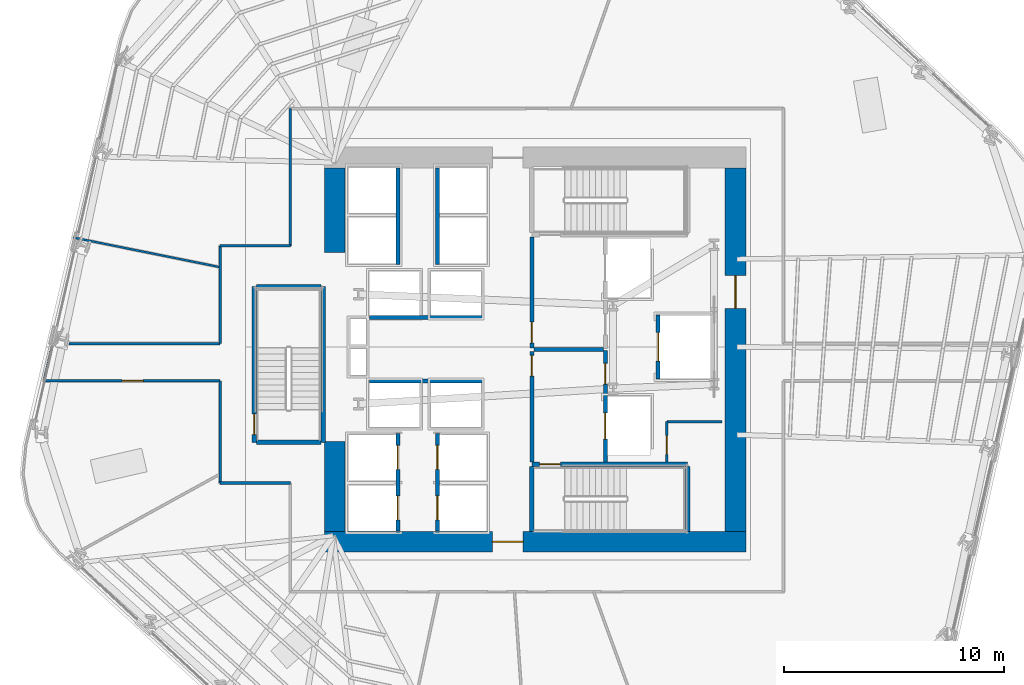
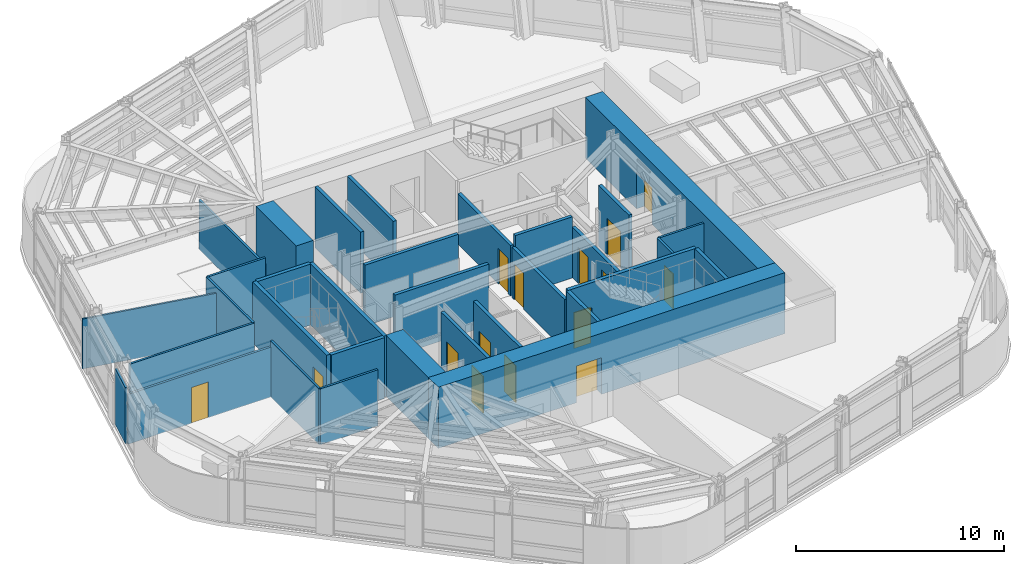
# One storey, part 9 of 16: 33 walls, 15 doors, 15 openings.
"""IFC4 building model written with IfcOpenShell, lengths in metres."""

from ifc_helpers import new_model, si_unit, direction, frame, frame_2d, origin, place, context, subcontext, project, spatial, rectangle, extrude, material, layer, layer_set, type_object, element, fill, save


model = new_model("IFC4")

# Units and contexts
model_context = context("Model", 3, precision=1e-05, world=origin(), true_north=direction((0.0, 1.0)))
body_context = subcontext(model_context, "Body", "Model", "MODEL_VIEW")
ifc_project = project(units=[si_unit("LENGTHUNIT", "METRE"), si_unit("AREAUNIT", "SQUARE_METRE"), si_unit("VOLUMEUNIT", "CUBIC_METRE"), si_unit("PLANEANGLEUNIT", "RADIAN"), si_unit("MASSUNIT", "GRAM", prefix="KILO")], contexts=[model_context])

# Site, building, storey
site_placement = place(None, origin())
site = spatial("IfcSite", under=ifc_project, at=site_placement, CompositionType="ELEMENT")
building_placement = place(site_placement, origin())
building = spatial("IfcBuilding", under=site, at=building_placement, Name="Valkerne Bourse Tower", CompositionType="ELEMENT")
storey_placement = place(building_placement, frame((0.0, 0.0, 97.199951171875)))
storey = spatial("IfcBuildingStorey", under=building, at=storey_placement, Name="L24", CompositionType="ELEMENT", Elevation=97.199951171875)

# Wall, opening, door
ifc_material_1 = material(Name="Concrete C70/85", Category="concrete")
ifc_layer_1 = layer(ifc_material_1, 0.949951171875)
ifc_layer_set_1 = layer_set([ifc_layer_1], Name="Concrete C70/85")
wall_type_1 = type_object("IfcWallType", Name="W-CORE-950", PredefinedType="SHEAR", material=ifc_layer_set_1)
wall_1_placement = place(storey_placement, frame((37.199951171875, 18.125, 0.0), z_axis=(0.0, 0.0, 1.0), x_axis=(1.0, 0.0, 0.0)))
wall_1 = element("IfcWall", 1, at=wall_1_placement, inside=storey, type_object=wall_type_1, Name="L24 Core Shear Wall SOUTH", PredefinedType="SHEAR", context=body_context, shape_type="SweptSolid", body=[
    extrude(rectangle(XDim=19.199951171875, YDim=0.949951171875, at=frame_2d((9.60009765625, 0.0))), origin(), (0.0, 0.0, 1.0), 3.580078125),
])
opening_1_placement = place(wall_1_placement, frame((7.64990234375, 0.0, 0.0)))
opening_1 = element("IfcOpeningElement", 2, at=opening_1_placement, cuts=wall_1, Name="Opening D-PL-1400", PredefinedType="OPENING", context=body_context, shape_type="SweptSolid", body=[
    extrude(rectangle(XDim=1.39990234375, YDim=2.14990234375, at=frame_2d((0.699951171875, 1.074951171875))), frame((0.0, 0.48486328125, 0.0), z_axis=(0.0, -1.0, 0.0), x_axis=(1.0, 0.0, 0.0)), (0.0, 0.0, 1.0), 0.969970703125),
])
ifc_material_2 = material(Name="Galvanised Painted Steel", Category="steel")
door_type_1 = type_object("IfcDoorType", Name="DR-PLT-1400", OperationType="DOUBLE_DOOR_SINGLE_SWING", PredefinedType="DOOR", material=ifc_material_2)
door_1_placement = place(opening_1_placement, origin())
door_1 = element("IfcDoor", 3, at=door_1_placement, inside=storey, type_object=door_type_1, Name="L24 South Passenger Lift Hall Fire Door", OperationType="DOUBLE_DOOR_SINGLE_SWING", OverallHeight=2.14990234375, OverallWidth=1.39990234375, PredefinedType="DOOR", context=body_context, shape_type="SweptSolid", body=[
    extrude(rectangle(XDim=1.39990234375, YDim=2.14990234375, at=frame_2d((0.699951171875, 1.074951171875))), frame((0.0, 0.02490234375, 0.0), z_axis=(0.0, -1.0, 0.0), x_axis=(1.0, 0.0, 0.0)), (0.0, 0.0, 1.0), 0.050048828125),
])
fill(opening_1, door_1)

wall_2_placement = place(storey_placement, frame((55.925048828125, 18.60009765625, 0.0), z_axis=(0.0, 0.0, 1.0), x_axis=(0.0, 1.0, 0.0)))
wall_2 = element("IfcWall", 4, at=wall_2_placement, inside=storey, type_object=wall_type_1, Name="L24 Core Shear Wall EAST", PredefinedType="SHEAR", context=body_context, shape_type="SweptSolid", body=[
    extrude(rectangle(XDim=16.5498046875, YDim=0.949951171875, at=frame_2d((8.27490234375, 0.0))), origin(), (0.0, 0.0, 1.0), 3.580078125),
])
opening_2_placement = place(wall_2_placement, frame((10.14990234375, 0.0, 0.0)))
opening_2 = element("IfcOpeningElement", 5, at=opening_2_placement, cuts=wall_2, Name="Opening D-CR-1500", PredefinedType="OPENING", context=body_context, shape_type="SweptSolid", body=[
    extrude(rectangle(XDim=1.5, YDim=2.14990234375, at=frame_2d((0.75, 1.074951171875))), frame((0.0, 0.48486328125, 0.0), z_axis=(0.0, -1.0, 0.0), x_axis=(1.0, 0.0, 0.0)), (0.0, 0.0, 1.0), 0.969970703125),
])
door_type_2 = type_object("IfcDoorType", Name="DR-CORR-1500", OperationType="DOUBLE_DOOR_SINGLE_SWING", PredefinedType="DOOR", material=ifc_material_2)
door_2_placement = place(opening_2_placement, origin())
door_2 = element("IfcDoor", 6, at=door_2_placement, inside=storey, type_object=door_type_2, Name="L24 East Core Service Lobby Fire Door", OperationType="DOUBLE_DOOR_SINGLE_SWING", OverallHeight=2.14990234375, OverallWidth=1.5, PredefinedType="DOOR", context=body_context, shape_type="SweptSolid", body=[
    extrude(rectangle(XDim=1.5, YDim=2.14990234375, at=frame_2d((0.75, 1.074951171875))), frame((0.0, 0.02490234375, 0.0), z_axis=(0.0, -1.0, 0.0), x_axis=(1.0, 0.0, 0.0)), (0.0, 0.0, 1.0), 0.050048828125),
])
fill(opening_2, door_2)

# Walls
wall_3_placement = place(storey_placement, frame((37.675048828125, 18.60009765625, 0.0), z_axis=(0.0, 0.0, 1.0), x_axis=(0.0, 1.0, 0.0)))
element("IfcWall", 7, at=wall_3_placement, inside=storey, type_object=wall_type_1, Name="L24 Core Shear Wall WEST-S", PredefinedType="SHEAR", context=body_context, shape_type="SweptSolid", body=[
    extrude(rectangle(XDim=4.099853515625, YDim=0.949951171875, at=frame_2d((2.0498046875, 0.0))), origin(), (0.0, 0.0, 1.0), 3.580078125),
])
wall_4_placement = place(storey_placement, frame((37.675048828125, 31.300048828125, 0.0), z_axis=(0.0, 0.0, 1.0), x_axis=(0.0, 1.0, 0.0)))
element("IfcWall", 8, at=wall_4_placement, inside=storey, type_object=wall_type_1, Name="L24 Core Shear Wall WEST-N", PredefinedType="SHEAR", context=body_context, shape_type="SweptSolid", body=[
    extrude(rectangle(XDim=3.849853515625, YDim=0.949951171875, at=frame_2d((1.9248046875, 0.0))), origin(), (0.0, 0.0, 1.0), 3.580078125),
])

# Wall, opening, door
ifc_material_3 = material(Name="Gypsum Board Steel-Stud Partition", Category="steel")
ifc_layer_2 = layer(ifc_material_3, 0.117919921875)
ifc_layer_set_2 = layer_set([ifc_layer_2], Name="Gypsum Board Steel-Stud Partition")
wall_type_2 = type_object("IfcWallType", Name="W-CORR-140", PredefinedType="PARTITIONING", material=ifc_layer_set_2)
wall_5_placement = place(storey_placement, frame((52.800048828125, 21.75, 0.0), z_axis=(0.0, 0.0, 1.0), x_axis=(0.0, 1.0, 0.0)))
wall_5 = element("IfcWall", 9, at=wall_5_placement, inside=storey, type_object=wall_type_2, Name="L24 Core SE South-Bay West Wall", PredefinedType="PARTITIONING", context=body_context, shape_type="SweptSolid", body=[
    extrude(rectangle(XDim=1.85009765625, YDim=0.117919921875, at=frame_2d((0.925048828125, 0.0))), origin(), (0.0, 0.0, 1.0), 3.280029296875),
])
opening_3_placement = place(wall_5_placement, frame((0.35009765625, 0.0, 0.0)))
opening_3 = element("IfcOpeningElement", 10, at=opening_3_placement, cuts=wall_5, Name="Opening D-WC-900", PredefinedType="OPENING", context=body_context, shape_type="SweptSolid", body=[
    extrude(rectangle(XDim=0.860107421875, YDim=2.050048828125, at=frame_2d((0.43017578125, 1.02490234375))), frame((0.0, 0.06884765625, 0.0), z_axis=(0.0, -1.0, 0.0), x_axis=(1.0, 0.0, 0.0)), (0.0, 0.0, 1.0), 0.137939453125),
])
ifc_material_4 = material(Name="Architectural White Oak Timber", Category="wood")
door_type_3 = type_object("IfcDoorType", Name="DR-WC-900", OperationType="NOTDEFINED", PredefinedType="DOOR", material=ifc_material_4)
door_3_placement = place(opening_3_placement, origin())
door_3 = element("IfcDoor", 11, at=door_3_placement, inside=storey, type_object=door_type_3, Name="L24 Janitor Store Door", OperationType="SINGLE_SWING_LEFT", OverallHeight=2.050048828125, OverallWidth=0.860107421875, PredefinedType="DOOR", context=body_context, shape_type="SweptSolid", body=[
    extrude(rectangle(XDim=0.860107421875, YDim=2.050048828125, at=frame_2d((0.43017578125, 1.02490234375))), frame((0.0, 0.02490234375, 0.0), z_axis=(0.0, -1.0, 0.0), x_axis=(1.0, 0.0, 0.0)), (0.0, 0.0, 1.0), 0.050048828125),
])
fill(opening_3, door_3)

# Walls
wall_6_placement = place(storey_placement, frame((52.800048828125, 23.60009765625, 0.0), z_axis=(0.0, 0.0, 1.0), x_axis=(1.0, 0.0, 0.0)))
element("IfcWall", 12, at=wall_6_placement, inside=storey, type_object=wall_type_2, Name="L24 Core SE South-Bay North Wall", PredefinedType="PARTITIONING", context=body_context, shape_type="SweptSolid", body=[
    extrude(rectangle(XDim=2.52001953125, YDim=0.117919921875, at=frame_2d((1.260009765625, 0.0))), origin(), (0.0, 0.0, 1.0), 3.280029296875),
])
wall_7_placement = place(storey_placement, frame((35.64990234375, 20.800048828125, 0.0), z_axis=(0.0, 0.0, 1.0), x_axis=(-1.0, 0.0, 0.0)))
element("IfcWall", 13, at=wall_7_placement, inside=storey, type_object=wall_type_2, Name="L24 Corridor Enclosure Wall", PredefinedType="PARTITIONING", context=body_context, shape_type="SweptSolid", body=[
    extrude(rectangle(XDim=3.199951171875, YDim=0.117919921875, at=frame_2d((1.60009765625, 0.0))), origin(), (0.0, 0.0, 1.0), 3.280029296875),
])
wall_8_placement = place(storey_placement, frame((32.449951171875, 20.800048828125, 0.0), z_axis=(0.0, 0.0, 1.0), x_axis=(0.0, 1.0, 0.0)))
element("IfcWall", 14, at=wall_8_placement, inside=storey, type_object=wall_type_2, Name="L24 Corridor Enclosure Wall", PredefinedType="PARTITIONING", context=body_context, shape_type="SweptSolid", body=[
    extrude(rectangle(XDim=4.64990234375, YDim=0.117919921875, at=frame_2d((2.324951171875, 0.0))), origin(), (0.0, 0.0, 1.0), 3.280029296875),
])

# Wall, opening, door
wall_9_placement = place(storey_placement, frame((32.449951171875, 25.449951171875, 0.0), z_axis=(0.0, 0.0, 1.0), x_axis=(-1.0, 0.0, 0.0)))
wall_9 = element("IfcWall", 15, at=wall_9_placement, inside=storey, type_object=wall_type_2, Name="L24 Corridor Enclosure Wall", PredefinedType="PARTITIONING", context=body_context, shape_type="SweptSolid", body=[
    extrude(rectangle(XDim=7.970947265625, YDim=0.117919921875, at=frame_2d((3.9853515625, 0.0))), origin(), (0.0, 0.0, 1.0), 2.92236328125),
])
opening_4_placement = place(wall_9_placement, frame((3.510498046875, 0.0, 0.0)))
opening_4 = element("IfcOpeningElement", 16, at=opening_4_placement, cuts=wall_9, Name="Opening D-OF-950", PredefinedType="OPENING", context=body_context, shape_type="SweptSolid", body=[
    extrude(rectangle(XDim=0.949951171875, YDim=2.10009765625, at=frame_2d((0.47509765625, 1.050048828125))), frame((0.0, 0.06884765625, 0.0), z_axis=(0.0, -1.0, 0.0), x_axis=(1.0, 0.0, 0.0)), (0.0, 0.0, 1.0), 0.137939453125),
])
door_type_4 = type_object("IfcDoorType", Name="DR-OFF-950", OperationType="NOTDEFINED", PredefinedType="DOOR", material=ifc_material_4)
door_4_placement = place(opening_4_placement, origin())
door_4 = element("IfcDoor", 17, at=door_4_placement, inside=storey, type_object=door_type_4, Name="L24 L24 Exchange Security Control Room 3 Door", OperationType="SINGLE_SWING_LEFT", OverallHeight=2.10009765625, OverallWidth=0.949951171875, PredefinedType="DOOR", context=body_context, shape_type="SweptSolid", body=[
    extrude(rectangle(XDim=0.949951171875, YDim=2.10009765625, at=frame_2d((0.47509765625, 1.050048828125))), frame((0.0, 0.02490234375, 0.0), z_axis=(0.0, -1.0, 0.0), x_axis=(1.0, 0.0, 0.0)), (0.0, 0.0, 1.0), 0.050048828125),
])
fill(opening_4, door_4)

# Walls
wall_10_placement = place(storey_placement, frame((24.4443359375, 25.493896484375, 0.0), z_axis=(0.0, 0.0, 1.0), x_axis=(0.22835926601, 0.973576933594, 0.0)))
element("IfcWall", 18, at=wall_10_placement, inside=storey, type_object=wall_type_2, Name="L24 Corridor Enclosure Wall", PredefinedType="PARTITIONING", context=body_context, shape_type="SweptSolid", body=[
    extrude(rectangle(XDim=1.700927734375, YDim=0.117919921875, at=frame_2d((0.8505859375, 0.0))), origin(), (0.0, 0.0, 1.0), 3.280029296875),
])
wall_11_placement = place(storey_placement, frame((25.560791015625, 27.14990234375, 0.0), z_axis=(0.0, 0.0, 1.0), x_axis=(1.0, 0.0, 0.0)))
element("IfcWall", 19, at=wall_11_placement, inside=storey, type_object=wall_type_2, Name="L24 Corridor Enclosure Wall", PredefinedType="PARTITIONING", context=body_context, shape_type="SweptSolid", body=[
    extrude(rectangle(XDim=6.88916015625, YDim=0.117919921875, at=frame_2d((3.444580078125, 0.0))), origin(), (0.0, 0.0, 1.0), 3.280029296875),
])
wall_12_placement = place(storey_placement, frame((32.449951171875, 27.14990234375, 0.0), z_axis=(0.0, 0.0, 1.0), x_axis=(0.0, 1.0, 0.0)))
element("IfcWall", 20, at=wall_12_placement, inside=storey, type_object=wall_type_2, Name="L24 Corridor Enclosure Wall", PredefinedType="PARTITIONING", context=body_context, shape_type="SweptSolid", body=[
    extrude(rectangle(XDim=4.4501953125, YDim=0.117919921875, at=frame_2d((2.22509765625, 0.0))), origin(), (0.0, 0.0, 1.0), 3.280029296875),
])
wall_13_placement = place(storey_placement, frame((32.449951171875, 31.60009765625, 0.0), z_axis=(0.0, 0.0, 1.0), x_axis=(1.0, 0.0, 0.0)))
element("IfcWall", 21, at=wall_13_placement, inside=storey, type_object=wall_type_2, Name="L24 Corridor Enclosure Wall", PredefinedType="PARTITIONING", context=body_context, shape_type="SweptSolid", body=[
    extrude(rectangle(XDim=3.199951171875, YDim=0.117919921875, at=frame_2d((1.60009765625, 0.0))), origin(), (0.0, 0.0, 1.0), 3.280029296875),
])
wall_14_placement = place(storey_placement, frame((35.64990234375, 31.60009765625, 0.0), z_axis=(0.0, 0.0, 1.0), x_axis=(0.0, 1.0, 0.0)))
element("IfcWall", 22, at=wall_14_placement, inside=storey, type_object=wall_type_2, Name="L24 Corridor Enclosure Wall", PredefinedType="PARTITIONING", context=body_context, shape_type="SweptSolid", body=[
    extrude(rectangle(XDim=6.25, YDim=0.117919921875, at=frame_2d((3.125, 0.0))), origin(), (0.0, 0.0, 1.0), 2.876708984375),
])
ifc_material_5 = material(Name="Gypsum Fire-Rated Shaftwall", Category="gypsum")
ifc_layer_3 = layer(ifc_material_5, 0.179931640625)
ifc_layer_set_3 = layer_set([ifc_layer_3], Name="Gypsum Fire-Rated Shaftwall")
wall_type_3 = type_object("IfcWallType", Name="W-FSAE-180", PredefinedType="PARTITIONING", material=ifc_layer_set_3)
wall_15_placement = place(storey_placement, frame((46.739990234375, 26.8798828125, 0.0), z_axis=(0.0, 0.0, 1.0), x_axis=(1.0, 0.0, 0.0)))
element("IfcWall", 23, at=wall_15_placement, inside=storey, type_object=wall_type_3, Name="L24 FSAE-1/2 Lobby Dividing Fire Wall", PredefinedType="PARTITIONING", context=body_context, shape_type="SweptSolid", body=[
    extrude(rectangle(XDim=3.169921875, YDim=0.179931640625, at=frame_2d((1.5849609375, 0.0))), origin(), (0.0, 0.0, 1.0), 3.580078125),
])

# Wall, opening, door
wall_16_placement = place(storey_placement, frame((46.64990234375, 21.75, 0.0), z_axis=(0.0, 0.0, 1.0), x_axis=(0.0, 1.0, 0.0)))
wall_16 = element("IfcWall", 24, at=wall_16_placement, inside=storey, type_object=wall_type_3, Name="L24 FSAE-1 Lobby West Fire Wall", PredefinedType="PARTITIONING", context=body_context, shape_type="SweptSolid", body=[
    extrude(rectangle(XDim=5.050048828125, YDim=0.179931640625, at=frame_2d((2.52490234375, 0.0))), origin(), (0.0, 0.0, 1.0), 2.9580078125),
])
opening_5_placement = place(wall_16_placement, frame((3.919921875, 0.0, 0.0)))
opening_5 = element("IfcOpeningElement", 25, at=opening_5_placement, cuts=wall_16, Name="Opening D-FS-950", PredefinedType="OPENING", context=body_context, shape_type="SweptSolid", body=[
    extrude(rectangle(XDim=0.949951171875, YDim=2.10009765625, at=frame_2d((0.47509765625, 1.050048828125))), frame((0.0, 0.099853515625, 0.0), z_axis=(0.0, -1.0, 0.0), x_axis=(1.0, 0.0, 0.0)), (0.0, 0.0, 1.0), 0.199951171875),
])
door_type_5 = type_object("IfcDoorType", Name="DR-FSAE-950", OperationType="NOTDEFINED", PredefinedType="DOOR", material=ifc_material_2)
door_5_placement = place(opening_5_placement, origin())
door_5 = element("IfcDoor", 26, at=door_5_placement, inside=storey, type_object=door_type_5, Name="L24 FSAE-1 Hall Link Fire Door", OperationType="SINGLE_SWING_RIGHT", OverallHeight=2.10009765625, OverallWidth=0.949951171875, PredefinedType="DOOR", context=body_context, shape_type="SweptSolid", body=[
    extrude(rectangle(XDim=0.949951171875, YDim=2.10009765625, at=frame_2d((0.47509765625, 1.050048828125))), frame((0.0, 0.02490234375, 0.0), z_axis=(0.0, -1.0, 0.0), x_axis=(1.0, 0.0, 0.0)), (0.0, 0.0, 1.0), 0.050048828125),
])
fill(opening_5, door_5)

wall_17_placement = place(storey_placement, frame((46.64990234375, 26.9599609375, 0.0), z_axis=(0.0, 0.0, 1.0), x_axis=(0.0, 1.0, 0.0)))
wall_17 = element("IfcWall", 27, at=wall_17_placement, inside=storey, type_object=wall_type_3, Name="L24 FSAE-2 Lobby West Fire Wall", PredefinedType="PARTITIONING", context=body_context, shape_type="SweptSolid", body=[
    extrude(rectangle(XDim=5.0400390625, YDim=0.179931640625, at=frame_2d((2.52001953125, 0.0))), origin(), (0.0, 0.0, 1.0), 2.9580078125),
])
opening_6_placement = place(wall_17_placement, frame((0.219970703125, 0.0, 0.0)))
opening_6 = element("IfcOpeningElement", 28, at=opening_6_placement, cuts=wall_17, Name="Opening D-FS-950", PredefinedType="OPENING", context=body_context, shape_type="SweptSolid", body=[
    extrude(rectangle(XDim=0.949951171875, YDim=2.10009765625, at=frame_2d((0.47509765625, 1.050048828125))), frame((0.0, 0.099853515625, 0.0), z_axis=(0.0, -1.0, 0.0), x_axis=(1.0, 0.0, 0.0)), (0.0, 0.0, 1.0), 0.199951171875),
])
door_6_placement = place(opening_6_placement, origin())
door_6 = element("IfcDoor", 29, at=door_6_placement, inside=storey, type_object=door_type_5, Name="L24 FSAE-2 Hall Link Fire Door", OperationType="SINGLE_SWING_RIGHT", OverallHeight=2.10009765625, OverallWidth=0.949951171875, PredefinedType="DOOR", context=body_context, shape_type="SweptSolid", body=[
    extrude(rectangle(XDim=0.949951171875, YDim=2.10009765625, at=frame_2d((0.47509765625, 1.050048828125))), frame((0.0, 0.02490234375, 0.0), z_axis=(0.0, -1.0, 0.0), x_axis=(1.0, 0.0, 0.0)), (0.0, 0.0, 1.0), 0.050048828125),
])
fill(opening_6, door_6)

# Wall, openings, doors
wall_18_placement = place(storey_placement, frame((50.0, 21.75, 0.0), z_axis=(0.0, 0.0, 1.0), x_axis=(0.0, 1.0, 0.0)))
wall_18 = element("IfcWall", 30, at=wall_18_placement, inside=storey, type_object=wall_type_3, Name="L24 FSAE-1 Lobby & Shaft Front Wall", PredefinedType="PARTITIONING", context=body_context, shape_type="SweptSolid", body=[
    extrude(rectangle(XDim=5.090087890625, YDim=0.179931640625, at=frame_2d((2.544921875, 0.0))), origin(), (0.0, 0.0, 1.0), 2.9580078125),
])
opening_7_placement = place(wall_18_placement, frame((1.050048828125, 0.0, 0.0)))
opening_7 = element("IfcOpeningElement", 31, at=opening_7_placement, cuts=wall_18, Name="Opening LD-1200", PredefinedType="OPENING", context=body_context, shape_type="SweptSolid", body=[
    extrude(rectangle(XDim=1.199951171875, YDim=2.14990234375, at=frame_2d((0.60009765625, 1.074951171875))), frame((0.0, 0.099853515625, 0.0), z_axis=(0.0, -1.0, 0.0), x_axis=(1.0, 0.0, 0.0)), (0.0, 0.0, 1.0), 0.199951171875),
])
opening_8_placement = place(wall_18_placement, frame((3.550048828125, 0.0, 0.0)))
opening_8 = element("IfcOpeningElement", 32, at=opening_8_placement, cuts=wall_18, Name="Opening D-FS-950", PredefinedType="OPENING", context=body_context, shape_type="SweptSolid", body=[
    extrude(rectangle(XDim=0.949951171875, YDim=2.10009765625, at=frame_2d((0.47509765625, 1.050048828125))), frame((0.0, 0.099853515625, 0.0), z_axis=(0.0, -1.0, 0.0), x_axis=(1.0, 0.0, 0.0)), (0.0, 0.0, 1.0), 0.199951171875),
])
door_7_placement = place(opening_8_placement, origin())
door_7 = element("IfcDoor", 33, at=door_7_placement, inside=storey, type_object=door_type_5, Name="L24 FSAE-1 Lobby Corridor Fire Door", OperationType="SINGLE_SWING_LEFT", OverallHeight=2.10009765625, OverallWidth=0.949951171875, PredefinedType="DOOR", context=body_context, shape_type="SweptSolid", body=[
    extrude(rectangle(XDim=0.949951171875, YDim=2.10009765625, at=frame_2d((0.47509765625, 1.050048828125))), frame((0.0, 0.02490234375, 0.0), z_axis=(0.0, -1.0, 0.0), x_axis=(1.0, 0.0, 0.0)), (0.0, 0.0, 1.0), 0.050048828125),
])
fill(opening_8, door_7)
ifc_material_6 = material(Name="Stainless Steel AISI 316", Category="steel")
door_type_6 = type_object("IfcDoorType", Name="DR-LIFT-1200", OperationType="DOUBLE_DOOR_SLIDING", PredefinedType="DOOR", material=ifc_material_6)
door_8_placement = place(opening_7_placement, origin())
door_8 = element("IfcDoor", 34, at=door_8_placement, inside=storey, type_object=door_type_6, Name="L24 FSAE-1 Firefighting Lift Landing Door", OperationType="DOUBLE_DOOR_SLIDING", OverallHeight=2.14990234375, OverallWidth=1.199951171875, PredefinedType="DOOR", context=body_context, shape_type="SweptSolid", body=[
    extrude(rectangle(XDim=1.199951171875, YDim=2.14990234375, at=frame_2d((0.60009765625, 1.074951171875))), frame((0.0, 0.02490234375, 0.0), z_axis=(0.0, -1.0, 0.0), x_axis=(1.0, 0.0, 0.0)), (0.0, 0.0, 1.0), 0.050048828125),
])
fill(opening_7, door_8)

# Wall, opening, door
ifc_material_7 = material(Name="CMU Blockwork Masonry 200mm", Category="masonry")
ifc_layer_4 = layer(ifc_material_7, 0.179931640625)
ifc_layer_set_4 = layer_set([ifc_layer_4], Name="CMU Blockwork Masonry 200mm")
wall_type_4 = type_object("IfcWallType", Name="W-LFT-180", PredefinedType="SOLIDWALL", material=ifc_layer_set_4)
wall_19_placement = place(storey_placement, frame((52.39990234375, 25.550048828125, 0.0), z_axis=(0.0, 0.0, 1.0), x_axis=(0.0, 1.0, 0.0)))
wall_19 = element("IfcWall", 35, at=wall_19_placement, inside=storey, type_object=wall_type_4, Name="L24 Service Lift SV-1 Front Wall", PredefinedType="SOLIDWALL", context=body_context, shape_type="SweptSolid", body=[
    extrude(rectangle(XDim=2.89990234375, YDim=0.179931640625, at=frame_2d((1.449951171875, 0.0))), origin(), (0.0, 0.0, 1.0), 3.580078125),
])
opening_9_placement = place(wall_19_placement, frame((0.800048828125, 0.0, 0.0)))
opening_9 = element("IfcOpeningElement", 36, at=opening_9_placement, cuts=wall_19, Name="Opening LD-1300", PredefinedType="OPENING", context=body_context, shape_type="SweptSolid", body=[
    extrude(rectangle(XDim=1.300048828125, YDim=2.14990234375, at=frame_2d((0.64990234375, 1.074951171875))), frame((0.0, 0.099853515625, 0.0), z_axis=(0.0, -1.0, 0.0), x_axis=(1.0, 0.0, 0.0)), (0.0, 0.0, 1.0), 0.199951171875),
])
door_type_7 = type_object("IfcDoorType", Name="DR-LIFT-1300", OperationType="DOUBLE_DOOR_SLIDING", PredefinedType="DOOR", material=ifc_material_6)
door_9_placement = place(opening_9_placement, origin())
door_9 = element("IfcDoor", 37, at=door_9_placement, inside=storey, type_object=door_type_7, Name="L24 Service Lift SV-1 Landing Door", OperationType="DOUBLE_DOOR_SLIDING", OverallHeight=2.14990234375, OverallWidth=1.300048828125, PredefinedType="DOOR", context=body_context, shape_type="SweptSolid", body=[
    extrude(rectangle(XDim=1.300048828125, YDim=2.14990234375, at=frame_2d((0.64990234375, 1.074951171875))), frame((0.0, 0.02490234375, 0.0), z_axis=(0.0, -1.0, 0.0), x_axis=(1.0, 0.0, 0.0)), (0.0, 0.0, 1.0), 0.050048828125),
])
fill(opening_9, door_9)

# Wall, openings, doors
wall_20_placement = place(storey_placement, frame((40.550048828125, 18.6201171875, 0.0), z_axis=(0.0, 0.0, 1.0), x_axis=(0.0, 1.0, 0.0)))
wall_20 = element("IfcWall", 38, at=wall_20_placement, inside=storey, type_object=wall_type_4, Name="L24 Low-Zone West Cars Front Wall", PredefinedType="SOLIDWALL", context=body_context, shape_type="SweptSolid", body=[
    extrude(rectangle(XDim=4.429931640625, YDim=0.179931640625, at=frame_2d((2.21484375, 0.0))), origin(), (0.0, 0.0, 1.0), 3.580078125),
])
opening_10_placement = place(wall_20_placement, frame((0.5, 0.0, 0.0)))
opening_10 = element("IfcOpeningElement", 39, at=opening_10_placement, cuts=wall_20, Name="Opening LD-1100", PredefinedType="OPENING", context=body_context, shape_type="SweptSolid", body=[
    extrude(rectangle(XDim=1.10009765625, YDim=2.14990234375, at=frame_2d((0.550048828125, 1.074951171875))), frame((0.0, 0.099853515625, 0.0), z_axis=(0.0, -1.0, 0.0), x_axis=(1.0, 0.0, 0.0)), (0.0, 0.0, 1.0), 0.199951171875),
])
opening_11_placement = place(wall_20_placement, frame((2.800048828125, 0.0, 0.0)))
opening_11 = element("IfcOpeningElement", 40, at=opening_11_placement, cuts=wall_20, Name="Opening LD-1100", PredefinedType="OPENING", context=body_context, shape_type="SweptSolid", body=[
    extrude(rectangle(XDim=1.10009765625, YDim=2.14990234375, at=frame_2d((0.550048828125, 1.074951171875))), frame((0.0, 0.099853515625, 0.0), z_axis=(0.0, -1.0, 0.0), x_axis=(1.0, 0.0, 0.0)), (0.0, 0.0, 1.0), 0.199951171875),
])
door_type_8 = type_object("IfcDoorType", Name="DR-LIFT-1100", OperationType="DOUBLE_DOOR_SLIDING", PredefinedType="DOOR", material=ifc_material_6)
door_10_placement = place(opening_10_placement, origin())
door_10 = element("IfcDoor", 41, at=door_10_placement, inside=storey, type_object=door_type_8, Name="L24 Passenger Lift PL-L1 Sliding Landing Door", OperationType="DOUBLE_DOOR_SLIDING", OverallHeight=2.14990234375, OverallWidth=1.10009765625, PredefinedType="DOOR", context=body_context, shape_type="SweptSolid", body=[
    extrude(rectangle(XDim=1.10009765625, YDim=2.14990234375, at=frame_2d((0.550048828125, 1.074951171875))), frame((0.0, 0.02490234375, 0.0), z_axis=(0.0, -1.0, 0.0), x_axis=(1.0, 0.0, 0.0)), (0.0, 0.0, 1.0), 0.050048828125),
])
fill(opening_10, door_10)
door_11_placement = place(opening_11_placement, origin())
door_11 = element("IfcDoor", 42, at=door_11_placement, inside=storey, type_object=door_type_8, Name="L24 Passenger Lift PL-L2 Sliding Landing Door", OperationType="DOUBLE_DOOR_SLIDING", OverallHeight=2.14990234375, OverallWidth=1.10009765625, PredefinedType="DOOR", context=body_context, shape_type="SweptSolid", body=[
    extrude(rectangle(XDim=1.10009765625, YDim=2.14990234375, at=frame_2d((0.550048828125, 1.074951171875))), frame((0.0, 0.02490234375, 0.0), z_axis=(0.0, -1.0, 0.0), x_axis=(1.0, 0.0, 0.0)), (0.0, 0.0, 1.0), 0.050048828125),
])
fill(opening_11, door_11)

wall_21_placement = place(storey_placement, frame((42.35009765625, 18.6201171875, 0.0), z_axis=(0.0, 0.0, 1.0), x_axis=(0.0, 1.0, 0.0)))
wall_21 = element("IfcWall", 43, at=wall_21_placement, inside=storey, type_object=wall_type_4, Name="L24 Low-Zone East Cars Front Wall", PredefinedType="SOLIDWALL", context=body_context, shape_type="SweptSolid", body=[
    extrude(rectangle(XDim=4.429931640625, YDim=0.179931640625, at=frame_2d((2.21484375, 0.0))), origin(), (0.0, 0.0, 1.0), 3.580078125),
])
opening_12_placement = place(wall_21_placement, frame((0.5, 0.0, 0.0)))
opening_12 = element("IfcOpeningElement", 44, at=opening_12_placement, cuts=wall_21, Name="Opening LD-1100", PredefinedType="OPENING", context=body_context, shape_type="SweptSolid", body=[
    extrude(rectangle(XDim=1.10009765625, YDim=2.14990234375, at=frame_2d((0.550048828125, 1.074951171875))), frame((0.0, 0.099853515625, 0.0), z_axis=(0.0, -1.0, 0.0), x_axis=(1.0, 0.0, 0.0)), (0.0, 0.0, 1.0), 0.199951171875),
])
opening_13_placement = place(wall_21_placement, frame((2.800048828125, 0.0, 0.0)))
opening_13 = element("IfcOpeningElement", 45, at=opening_13_placement, cuts=wall_21, Name="Opening LD-1100", PredefinedType="OPENING", context=body_context, shape_type="SweptSolid", body=[
    extrude(rectangle(XDim=1.10009765625, YDim=2.14990234375, at=frame_2d((0.550048828125, 1.074951171875))), frame((0.0, 0.099853515625, 0.0), z_axis=(0.0, -1.0, 0.0), x_axis=(1.0, 0.0, 0.0)), (0.0, 0.0, 1.0), 0.199951171875),
])
door_12_placement = place(opening_12_placement, origin())
door_12 = element("IfcDoor", 46, at=door_12_placement, inside=storey, type_object=door_type_8, Name="L24 Passenger Lift PL-L3 Sliding Landing Door", OperationType="DOUBLE_DOOR_SLIDING", OverallHeight=2.14990234375, OverallWidth=1.10009765625, PredefinedType="DOOR", context=body_context, shape_type="SweptSolid", body=[
    extrude(rectangle(XDim=1.10009765625, YDim=2.14990234375, at=frame_2d((0.550048828125, 1.074951171875))), frame((0.0, 0.02490234375, 0.0), z_axis=(0.0, -1.0, 0.0), x_axis=(1.0, 0.0, 0.0)), (0.0, 0.0, 1.0), 0.050048828125),
])
fill(opening_12, door_12)
door_13_placement = place(opening_13_placement, origin())
door_13 = element("IfcDoor", 47, at=door_13_placement, inside=storey, type_object=door_type_8, Name="L24 Passenger Lift PL-L4 Sliding Landing Door", OperationType="DOUBLE_DOOR_SLIDING", OverallHeight=2.14990234375, OverallWidth=1.10009765625, PredefinedType="DOOR", context=body_context, shape_type="SweptSolid", body=[
    extrude(rectangle(XDim=1.10009765625, YDim=2.14990234375, at=frame_2d((0.550048828125, 1.074951171875))), frame((0.0, 0.02490234375, 0.0), z_axis=(0.0, -1.0, 0.0), x_axis=(1.0, 0.0, 0.0)), (0.0, 0.0, 1.0), 0.050048828125),
])
fill(opening_13, door_13)

# Walls
for number, where, z_axis, x_axis, name in (
    (48, (40.550048828125, 30.75, 0.0), (0.0, 0.0, 1.0), (0.0, 1.0, 0.0), "L24 Mid-Zone West Cars Front Wall"),
    (49, (42.35009765625, 30.75, 0.0), (0.0, 0.0, 1.0), (0.0, 1.0, 0.0), "L24 Mid-Zone East Cars Front Wall"),
):
    element("IfcWall", number, at=place(storey_placement, frame(where, z_axis=z_axis, x_axis=x_axis)), inside=storey, type_object=wall_type_4, Name=name, PredefinedType="SOLIDWALL", context=body_context, shape_type="SweptSolid", body=[
        extrude(rectangle(XDim=4.39990234375, YDim=0.179931640625, at=frame_2d((2.199951171875, 0.0))), origin(), (0.0, 0.0, 1.0), 3.580078125),
    ])
for number, where, z_axis, x_axis, name in (
    (50, (39.25, 25.449951171875, 0.0), (0.0, 0.0, 1.0), (1.0, 0.0, 0.0), "L24 High-Zone South Cars Front Wall"),
    (51, (39.25, 28.35009765625, 0.0), (0.0, 0.0, 1.0), (1.0, 0.0, 0.0), "L24 High-Zone North Cars Front Wall"),
):
    element("IfcWall", number, at=place(storey_placement, frame(where, z_axis=z_axis, x_axis=x_axis)), inside=storey, type_object=wall_type_4, Name=name, PredefinedType="SOLIDWALL", context=body_context, shape_type="SweptSolid", body=[
        extrude(rectangle(XDim=5.199951171875, YDim=0.179931640625, at=frame_2d((2.60009765625, 0.0))), origin(), (0.0, 0.0, 1.0), 3.580078125),
    ])
ifc_layer_5 = layer(ifc_material_3, 0.092041015625)
ifc_layer_set_5 = layer_set([ifc_layer_5], Name="Gypsum Board Steel-Stud Partition")
wall_type_5 = type_object("IfcWallType", Name="W-PART-115", PredefinedType="PARTITIONING", material=ifc_layer_set_5)
wall_22_placement = place(storey_placement, frame((32.445068359375, 30.633544921875, 0.0), z_axis=(0.0, 0.0, 1.0), x_axis=(-0.980238165172, 0.197820978513, 0.0)))
element("IfcWall", 52, at=wall_22_placement, inside=storey, type_object=wall_type_5, Name="L24 Suite Partition P05", PredefinedType="PARTITIONING", context=body_context, shape_type="SweptSolid", body=[
    extrude(rectangle(XDim=6.82861328125, YDim=0.092041015625, at=frame_2d((3.414306640625, 0.0))), origin(), (0.0, 0.0, 1.0), 2.92236328125),
])

# Wall, opening, door
ifc_material_8 = material(Name="Concrete C40/50", Category="concrete")
ifc_layer_6 = layer(ifc_material_8, 0.199951171875)
ifc_layer_set_6 = layer_set([ifc_layer_6], Name="Concrete C40/50")
wall_type_6 = type_object("IfcWallType", Name="W-SHF-200", PredefinedType="SHEAR", material=ifc_layer_set_6)
wall_23_placement = place(storey_placement, frame((46.64990234375, 21.64990234375, 0.0), z_axis=(0.0, 0.0, 1.0), x_axis=(1.0, 0.0, 0.0)))
wall_23 = element("IfcWall", 53, at=wall_23_placement, inside=storey, type_object=wall_type_6, Name="L24 Exit Stair ST-1 Structural Shaft Wall North", PredefinedType="SHEAR", context=body_context, shape_type="SweptSolid", body=[
    extrude(rectangle(XDim=7.10009765625, YDim=0.199951171875, at=frame_2d((3.550048828125, 0.0))), origin(), (0.0, 0.0, 1.0), 3.580078125),
])
opening_14_placement = place(wall_23_placement, frame((0.35009765625, 0.0, 0.0)))
opening_14 = element("IfcOpeningElement", 54, at=opening_14_placement, cuts=wall_23, Name="Opening D-ST-950", PredefinedType="OPENING", context=body_context, shape_type="SweptSolid", body=[
    extrude(rectangle(XDim=0.949951171875, YDim=2.10009765625, at=frame_2d((0.47509765625, 1.050048828125))), frame((0.0, 0.10986328125, 0.0), z_axis=(0.0, -1.0, 0.0), x_axis=(1.0, 0.0, 0.0)), (0.0, 0.0, 1.0), 0.219970703125),
])
door_type_9 = type_object("IfcDoorType", Name="DR-STAIR-950", OperationType="NOTDEFINED", PredefinedType="DOOR", material=ifc_material_2)
door_14_placement = place(opening_14_placement, origin())
door_14 = element("IfcDoor", 55, at=door_14_placement, inside=storey, type_object=door_type_9, Name="L24 Exit Stair ST-1 Door", OperationType="SINGLE_SWING_RIGHT", OverallHeight=2.10009765625, OverallWidth=0.949951171875, PredefinedType="DOOR", context=body_context, shape_type="SweptSolid", body=[
    extrude(rectangle(XDim=0.949951171875, YDim=2.10009765625, at=frame_2d((0.47509765625, 1.050048828125))), frame((0.0, 0.02490234375, 0.0), z_axis=(0.0, -1.0, 0.0), x_axis=(1.0, 0.0, 0.0)), (0.0, 0.0, 1.0), 0.050048828125),
])
fill(opening_14, door_14)

# Walls
for number, where, z_axis, x_axis, name in (
    (56, (46.64990234375, 18.60009765625, 0.0), (0.0, 0.0, 1.0), (0.0, 1.0, 0.0), "L24 Exit Stair ST-1 Structural Shaft Wall West"),
    (57, (53.75, 18.60009765625, 0.0), (0.0, 0.0, 1.0), (0.0, 1.0, 0.0), "L24 Exit Stair ST-1 Structural Shaft Wall East"),
):
    element("IfcWall", number, at=place(storey_placement, frame(where, z_axis=z_axis, x_axis=x_axis)), inside=storey, type_object=wall_type_6, Name=name, PredefinedType="SHEAR", context=body_context, shape_type="SweptSolid", body=[
        extrude(rectangle(XDim=2.949951171875, YDim=0.199951171875, at=frame_2d((1.47509765625, 0.0))), origin(), (0.0, 0.0, 1.0), 3.580078125),
    ])

# Wall, opening, door
wall_24_placement = place(storey_placement, frame((34.0, 22.64990234375, 0.0), z_axis=(0.0, 0.0, 1.0), x_axis=(0.0, 1.0, 0.0)))
wall_24 = element("IfcWall", 58, at=wall_24_placement, inside=storey, type_object=wall_type_6, Name="L24 Exit Stair ST-3 Structural Shaft Wall West", PredefinedType="SHEAR", context=body_context, shape_type="SweptSolid", body=[
    extrude(rectangle(XDim=7.10009765625, YDim=0.199951171875, at=frame_2d((3.550048828125, 0.0))), origin(), (0.0, 0.0, 1.0), 3.580078125),
])
opening_15_placement = place(wall_24_placement, frame((0.35009765625, 0.0, 0.0)))
opening_15 = element("IfcOpeningElement", 59, at=opening_15_placement, cuts=wall_24, Name="Opening D-ST-950", PredefinedType="OPENING", context=body_context, shape_type="SweptSolid", body=[
    extrude(rectangle(XDim=0.949951171875, YDim=2.10009765625, at=frame_2d((0.47509765625, 1.050048828125))), frame((0.0, 0.10986328125, 0.0), z_axis=(0.0, -1.0, 0.0), x_axis=(1.0, 0.0, 0.0)), (0.0, 0.0, 1.0), 0.219970703125),
])
door_15_placement = place(opening_15_placement, origin())
door_15 = element("IfcDoor", 60, at=door_15_placement, inside=storey, type_object=door_type_9, Name="L24 Exit Stair ST-3 Door", OperationType="SINGLE_SWING_RIGHT", OverallHeight=2.10009765625, OverallWidth=0.949951171875, PredefinedType="DOOR", context=body_context, shape_type="SweptSolid", body=[
    extrude(rectangle(XDim=0.949951171875, YDim=2.10009765625, at=frame_2d((0.47509765625, 1.050048828125))), frame((0.0, 0.02490234375, 0.0), z_axis=(0.0, -1.0, 0.0), x_axis=(1.0, 0.0, 0.0)), (0.0, 0.0, 1.0), 0.050048828125),
])
fill(opening_15, door_15)

# Walls
for number, where, z_axis, x_axis, name in (
    (61, (34.10009765625, 22.64990234375, 0.0), (0.0, 0.0, 1.0), (1.0, 0.0, 0.0), "L24 Exit Stair ST-3 Structural Shaft Wall South"),
    (62, (34.10009765625, 29.75, 0.0), (0.0, 0.0, 1.0), (1.0, 0.0, 0.0), "L24 Exit Stair ST-3 Structural Shaft Wall North"),
):
    element("IfcWall", number, at=place(storey_placement, frame(where, z_axis=z_axis, x_axis=x_axis)), inside=storey, type_object=wall_type_6, Name=name, PredefinedType="SHEAR", context=body_context, shape_type="SweptSolid", body=[
        extrude(rectangle(XDim=2.949951171875, YDim=0.199951171875, at=frame_2d((1.47509765625, 0.0))), origin(), (0.0, 0.0, 1.0), 3.580078125),
    ])
wall_25_placement = place(storey_placement, frame((37.14990234375, 22.64990234375, 0.0), z_axis=(0.0, 0.0, 1.0), x_axis=(0.0, 1.0, 0.0)))
element("IfcWall", 63, at=wall_25_placement, inside=storey, type_object=wall_type_6, Name="L24 Exit Stair ST-3 Structural Shaft Wall East", PredefinedType="SHEAR", context=body_context, shape_type="SweptSolid", body=[
    extrude(rectangle(XDim=7.10009765625, YDim=0.199951171875, at=frame_2d((3.550048828125, 0.0))), origin(), (0.0, 0.0, 1.0), 3.580078125),
])

save(model, "model.ifc")
